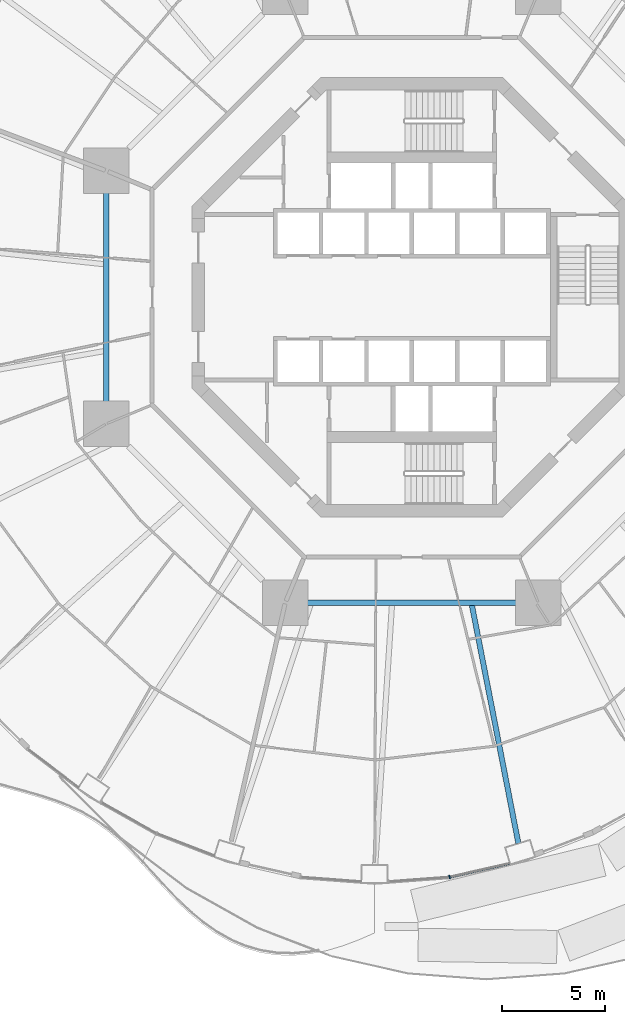
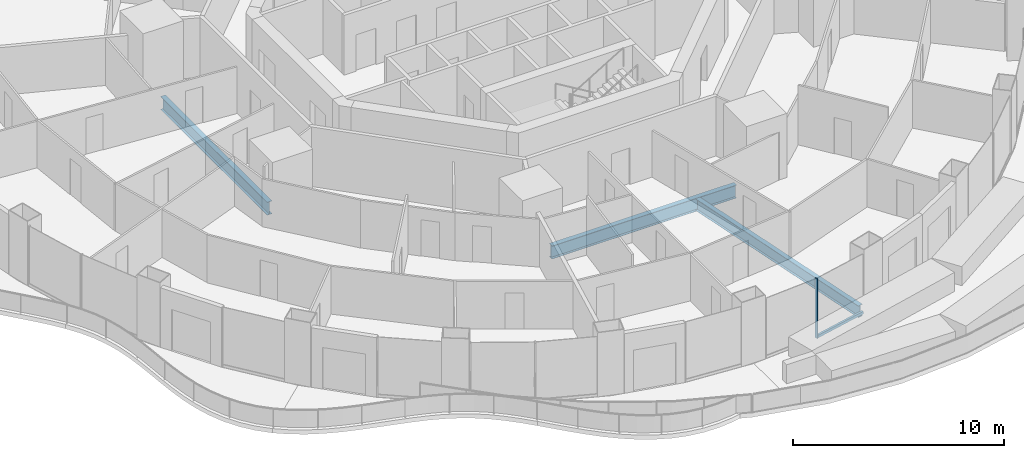
# One storey, part 4 of 22: 3 beams, 2 members, 1 element without a shape of its own.
"""IFC4 building model written with IfcOpenShell, lengths in metres."""

from ifc_helpers import new_model, si_unit, direction, frame, origin, origin_2d, place, context, subcontext, project, spatial, rectangle, i_section, extrude, material, layer, layer_set, material_profile, profile_set, type_object, element, aggregate, save


model = new_model("IFC4")

# Units and contexts
model_context = context("Model", 3, precision=1e-05, world=origin(), true_north=direction((0.0, 1.0)))
body_context = subcontext(model_context, "Body", "Model", "MODEL_VIEW")
ifc_project = project(units=[si_unit("LENGTHUNIT", "METRE"), si_unit("AREAUNIT", "SQUARE_METRE"), si_unit("VOLUMEUNIT", "CUBIC_METRE"), si_unit("PLANEANGLEUNIT", "RADIAN"), si_unit("MASSUNIT", "GRAM", prefix="KILO")], contexts=[model_context])

# Site, building, storey
site_placement = place(None, origin())
site = spatial("IfcSite", under=ifc_project, at=site_placement, CompositionType="ELEMENT")
building_placement = place(site_placement, origin())
building = spatial("IfcBuilding", under=site, at=building_placement, Name="Nagisa Residences", CompositionType="ELEMENT")
storey_placement = place(building_placement, frame((0.0, 0.0, 73.300048828125)))
storey = spatial("IfcBuildingStorey", under=building, at=storey_placement, Name="L17", CompositionType="ELEMENT", Elevation=73.300048828125)

# Curtain wall, members
ifc_material_1 = material(Name="Concrete-coloured aluminium curtain wall system", Category="concrete")
ifc_layer = layer(ifc_material_1, 0.159912109375)
ifc_layer_set = layer_set([ifc_layer], Name="CW1 CURTAIN WALL")
curtain_wall_type = type_object("IfcCurtainWallType", Name="CW1 CURTAIN WALL", PredefinedType="NOTDEFINED", material=ifc_layer_set)
curtain_wall_placement = place(storey_placement, origin())
curtain_wall = element("IfcCurtainWall", 1, at=curtain_wall_placement, inside=storey, type_object=curtain_wall_type, Name="cw:CW1:L17:37", PredefinedType="NOTDEFINED")
ifc_material_2 = material(Name="Concrete-coloured aluminium", Category="concrete")
ifc_material_profile_1 = material_profile(ifc_material_2, rectangle(XDim=0.159912109375, YDim=0.06005859375, at=origin_2d()), Name="CW1 MULLION 160x60")
ifc_profile_set_1 = profile_set([ifc_material_profile_1], Name="Concrete-coloured aluminium")
member_type_1 = type_object("IfcMemberType", Name="CW1 MULLION 160x60", PredefinedType="MULLION", material=ifc_profile_set_1)
member_1_placement = place(storey_placement, frame((1.826416015625, -28.04296875, 0.0), z_axis=(0.0, 0.0, 1.0), x_axis=(-0.2207639201, 0.975327274089, 0.0)))
member_1 = element("IfcMember", 2, at=member_1_placement, type_object=member_type_1, Name="CW1 mullion", PredefinedType="MULLION", context=body_context, shape_type="SweptSolid", body=[
    extrude(rectangle(XDim=0.159912109375, YDim=0.06005859375, at=origin_2d()), origin(), (0.0, 0.0, 1.0), 3.43994140625),
])
ifc_material_3 = material(Name="Concrete-coloured aluminium", Category="concrete")
ifc_material_profile_2 = material_profile(ifc_material_3, rectangle(XDim=0.1201171875, YDim=0.14990234375, at=origin_2d()), Name="CW1 TRANSOM 120x150")
ifc_profile_set_2 = profile_set([ifc_material_profile_2], Name="Concrete-coloured aluminium")
member_type_2 = type_object("IfcMemberType", Name="CW1 TRANSOM 120x150", PredefinedType="USERDEFINED", material=ifc_profile_set_2)
member_2_placement = place(storey_placement, frame((1.79736328125, -28.049560546875, 0.074951171875), z_axis=(0.975331196789, 0.220746589036, 0.0), x_axis=(-0.220746589036, 0.975331196789, 0.0)))
member_2 = element("IfcMember", 3, at=member_2_placement, type_object=member_type_2, Name="CW1 transom", ObjectType="TRANSOM", PredefinedType="USERDEFINED", context=body_context, shape_type="SweptSolid", body=[
    extrude(rectangle(XDim=0.1201171875, YDim=0.14990234375, at=origin_2d()), origin(), (0.0, 0.0, 1.0), 2.99267578125),
])
aggregate(curtain_wall, [member_1, member_2])

# Beams
ifc_material_4 = material(Name="Steel ASTM A572 Gr 50", Category="steel")
ifc_material_profile_3 = material_profile(ifc_material_4, i_section(OverallWidth=0.264892578125, OverallDepth=0.7529296875, WebThickness=0.01318359375, FlangeThickness=0.01708984375, at=origin_2d()), Name="W760x147")
ifc_profile_set_3 = profile_set([ifc_material_profile_3], Name="Steel ASTM A572 Gr 50")
beam_type_1 = type_object("IfcBeamType", Name="Inner ring beam W760x147", PredefinedType="BEAM", material=ifc_profile_set_3)
for number, where, z_axis, x_axis, name in (
    (4, (-14.781982421875, 5.04296875, -0.636474609375), (0.0, -1.0, 0.0), (1.0, 0.0, 0.0), "beam:L17:ib4"),
    (5, (-5.04296875, -14.781982421875, -0.636474609375), (1.0, 0.0, 0.0), (0.0, 1.0, 0.0), "beam:L17:ib6"),
):
    element("IfcBeam", number, at=place(storey_placement, frame(where, z_axis=z_axis, x_axis=x_axis)), inside=storey, type_object=beam_type_1, Name=name, PredefinedType="BEAM", context=body_context, shape_type="SweptSolid", body=[
        extrude(i_section(OverallWidth=0.264892578125, OverallDepth=0.7529296875, WebThickness=0.01318359375, FlangeThickness=0.01708984375, at=origin_2d()), origin(), (0.0, 0.0, 1.0), 10.0859375),
    ])
ifc_material_5 = material(Name="Steel ASTM A572 Gr 50", Category="steel")
ifc_material_profile_4 = material_profile(ifc_material_5, i_section(OverallWidth=0.2529296875, OverallDepth=0.677978515625, WebThickness=0.01171875, FlangeThickness=0.016357421875, at=origin_2d()), Name="W690x125")
ifc_profile_set_4 = profile_set([ifc_material_profile_4], Name="Steel ASTM A572 Gr 50")
beam_type_2 = type_object("IfcBeamType", Name="Radial beam W690x125", PredefinedType="BEAM", material=ifc_profile_set_4)
beam_placement = place(storey_placement, frame((5.15576171875, -26.416015625, -0.59912109375), z_axis=(-0.191554340045, 0.981482009417, 0.0), x_axis=(-0.981482009417, -0.191554340045, 0.0)))
element("IfcBeam", 6, at=beam_placement, inside=storey, type_object=beam_type_2, Name="beam:L17:rb20", PredefinedType="BEAM", context=body_context, shape_type="SweptSolid", body=[
    extrude(i_section(OverallWidth=0.2529296875, OverallDepth=0.677978515625, WebThickness=0.01171875, FlangeThickness=0.016357421875, at=origin_2d()), origin(), (0.0, 0.0, 1.0), 11.73828125),
])

save(model, "model.ifc")
